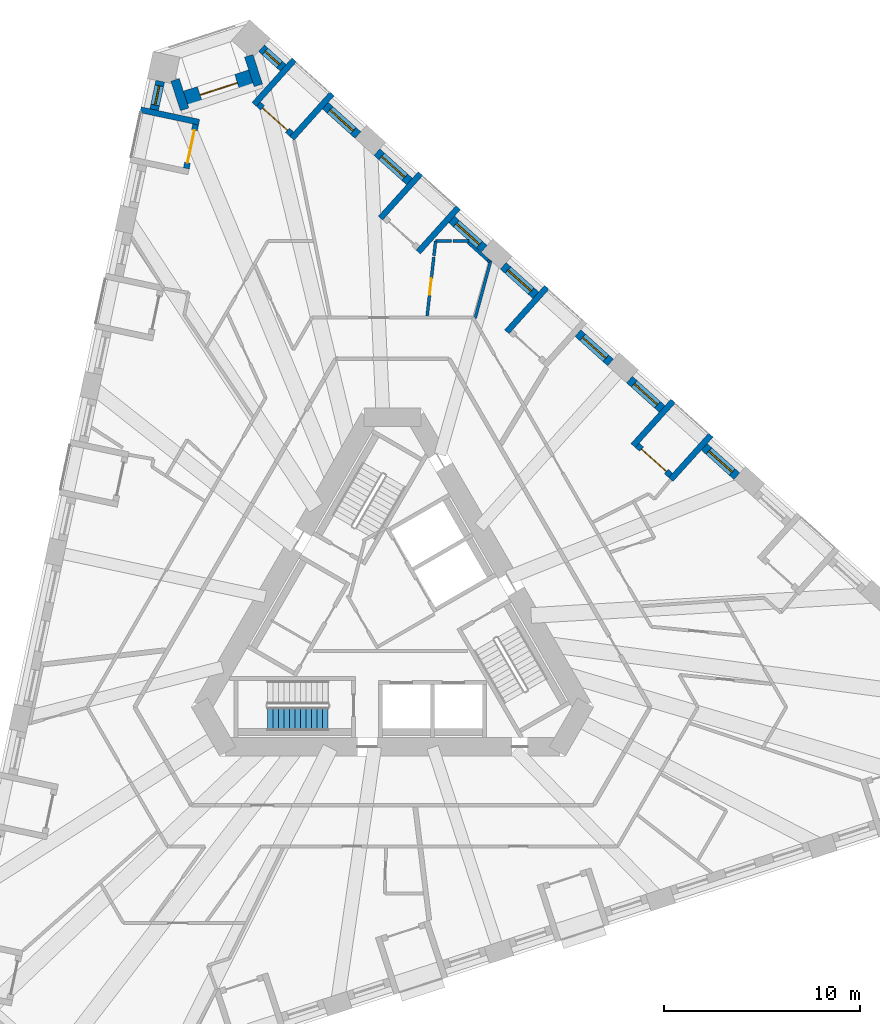
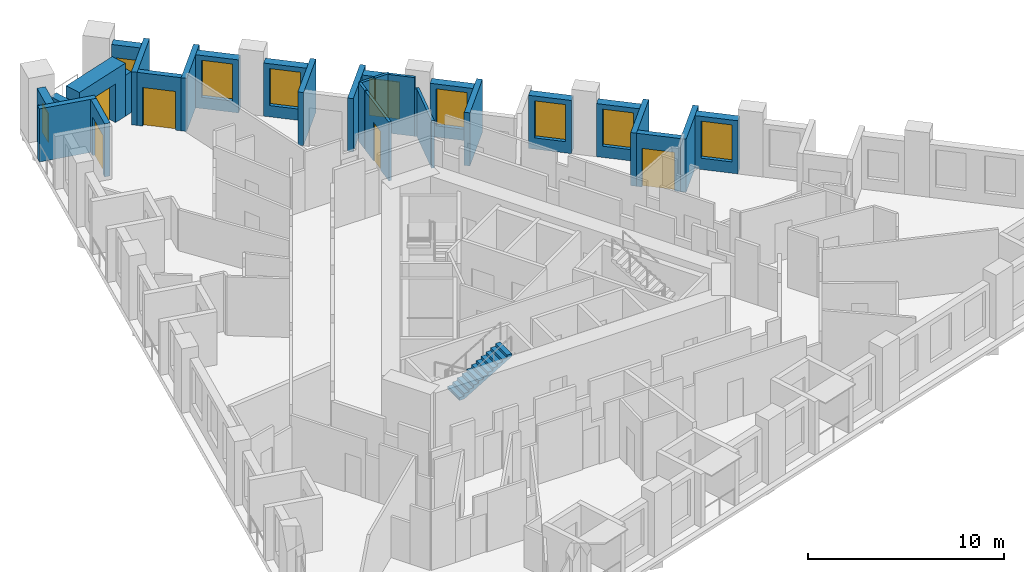
# One storey, part 9 of 13: 30 walls, 9 windows, 5 doors, 1 stair flight, 14 openings, 1 element without a shape of its own.
"""IFC4 building model written with IfcOpenShell, lengths in metres."""

from ifc_helpers import new_model, si_unit, direction, frame, frame_2d, origin, place, context, subcontext, project, spatial, polyline, rectangle, outline, extrude, material, layer, layer_set, type_object, element, fill, aggregate, save


model = new_model("IFC4")

# Units and contexts
model_context = context("Model", 3, precision=1e-05, world=origin(), true_north=direction((0.0, 1.0)))
body_context = subcontext(model_context, "Body", "Model", "MODEL_VIEW")
ifc_project = project(units=[si_unit("LENGTHUNIT", "METRE"), si_unit("AREAUNIT", "SQUARE_METRE"), si_unit("VOLUMEUNIT", "CUBIC_METRE"), si_unit("PLANEANGLEUNIT", "RADIAN"), si_unit("MASSUNIT", "GRAM", prefix="KILO")], contexts=[model_context])

# Site, building, storey
site_placement = place(None, origin())
site = spatial("IfcSite", under=ifc_project, at=site_placement, CompositionType="ELEMENT")
building_placement = place(site_placement, origin())
building = spatial("IfcBuilding", under=site, at=building_placement, Name="Tramontana Tower", CompositionType="ELEMENT")
storey_placement = place(building_placement, frame((0.0, 0.0, 100.39990234375)))
storey = spatial("IfcBuildingStorey", under=building, at=storey_placement, Name="L22", CompositionType="ELEMENT", Elevation=100.39990234375)

# Wall, opening, window
ifc_material_1 = material(Name="Precast concrete 60 MPa", Category="concrete")
ifc_layer_1 = layer(ifc_material_1, 0.449951171875)
ifc_layer_set_1 = layer_set([ifc_layer_1], Name="Precast concrete 60 MPa, 450 mm")
wall_type_1 = type_object("IfcWallType", Name="EW1 Stone-faced precast wall 450", PredefinedType="SOLIDWALL", material=ifc_layer_set_1)
wall_1_placement = place(storey_placement, frame((-11.835693359375, 27.645751953125, 0.0), z_axis=(0.0, 0.0, 1.0), x_axis=(-0.207880358131, -0.978154260178, 0.0)))
wall_1 = element("IfcWall", 1, at=wall_1_placement, inside=storey, type_object=wall_type_1, Name="External wall L22 face 0 bay 1", PredefinedType="SOLIDWALL", context=body_context, shape_type="SweptSolid", body=[
    extrude(rectangle(XDim=1.48681640625, YDim=0.449951171875, at=frame_2d((0.743408203125, 0.0))), origin(), (0.0, 0.0, 1.0), 3.300048828125),
])
opening_1_placement = place(wall_1_placement, frame((0.243408203125, 0.0, 0.699951171875)))
opening_1 = element("IfcOpeningElement", 2, at=opening_1_placement, cuts=wall_1, Name="Opening N1L", PredefinedType="OPENING", context=body_context, shape_type="SweptSolid", body=[
    extrude(rectangle(XDim=1.0, YDim=1.800048828125, at=frame_2d((0.5, 0.89990234375))), frame((0.0, 0.23486328125, 0.0), z_axis=(0.0, -1.0, 0.0), x_axis=(1.0, 0.0, 0.0)), (0.0, 0.0, 1.0), 0.469970703125),
])
ifc_material_2 = material(Name="Aluminum frame, double glazing unit", Category="aluminium")
window_type_1 = type_object("IfcWindowType", Name="N1L Window 1 x 1.8", PartitioningType="SINGLE_PANEL", PredefinedType="WINDOW", material=ifc_material_2)
window_1_placement = place(opening_1_placement, origin())
window_1 = element("IfcWindow", 3, at=window_1_placement, inside=storey, type_object=window_type_1, Name="Window N1L L22 face 0 module 1", OverallHeight=1.800048828125, OverallWidth=1.0, PartitioningType="SINGLE_PANEL", PredefinedType="WINDOW", context=body_context, shape_type="SweptSolid", body=[
    extrude(rectangle(XDim=1.0, YDim=1.800048828125, at=frame_2d((0.5, 0.89990234375))), frame((0.0, 0.030029296875, 0.0), z_axis=(0.0, -1.0, 0.0), x_axis=(1.0, 0.0, 0.0)), (0.0, 0.0, 1.0), 0.06005859375),
])
fill(opening_1, window_1)

wall_2_placement = place(storey_placement, frame((17.54541015625, 7.51513671875, 0.0), z_axis=(0.0, 0.0, 1.0), x_axis=(-0.743142151309, 0.669133576311, 0.0)))
wall_2 = element("IfcWall", 4, at=wall_2_placement, inside=storey, type_object=wall_type_1, Name="External wall L22 face 2 bay 3", PredefinedType="SOLIDWALL", context=body_context, shape_type="SweptSolid", body=[
    extrude(rectangle(XDim=2.236572265625, YDim=0.449951171875, at=frame_2d((1.1181640625, 0.0))), origin(), (0.0, 0.0, 1.0), 3.300048828125),
])
opening_2_placement = place(wall_2_placement, frame((0.318359375, 0.0, 0.699951171875)))
opening_2 = element("IfcOpeningElement", 5, at=opening_2_placement, cuts=wall_2, Name="Opening M1", PredefinedType="OPENING", context=body_context, shape_type="SweptSolid", body=[
    extrude(rectangle(XDim=1.60009765625, YDim=2.300048828125, at=frame_2d((0.800048828125, 1.14990234375))), frame((0.0, 0.23486328125, 0.0), z_axis=(0.0, -1.0, 0.0), x_axis=(1.0, 0.0, 0.0)), (0.0, 0.0, 1.0), 0.469970703125),
])
ifc_material_3 = material(Name="Aluminum frame, double glazing unit", Category="aluminium")
window_type_2 = type_object("IfcWindowType", Name="M1 Window 1.6 x 2.3", PartitioningType="SINGLE_PANEL", PredefinedType="WINDOW", material=ifc_material_3)
window_2_placement = place(opening_2_placement, origin())
window_2 = element("IfcWindow", 6, at=window_2_placement, inside=storey, type_object=window_type_2, Name="Window M1 L22 face 2 module 7", OverallHeight=2.300048828125, OverallWidth=1.60009765625, PartitioningType="SINGLE_PANEL", PredefinedType="WINDOW", context=body_context, shape_type="SweptSolid", body=[
    extrude(rectangle(XDim=1.60009765625, YDim=2.300048828125, at=frame_2d((0.800048828125, 1.14990234375))), frame((0.0, 0.030029296875, 0.0), z_axis=(0.0, -1.0, 0.0), x_axis=(1.0, 0.0, 0.0)), (0.0, 0.0, 1.0), 0.06005859375),
])
fill(opening_2, window_2)

wall_3_placement = place(storey_placement, frame((13.738037109375, 10.943359375, 0.0), z_axis=(0.0, 0.0, 1.0), x_axis=(-0.743191019375, 0.669079299276, 0.0)))
wall_3 = element("IfcWall", 7, at=wall_3_placement, inside=storey, type_object=wall_type_1, Name="External wall L22 face 2 bay 3", PredefinedType="SOLIDWALL", context=body_context, shape_type="SweptSolid", body=[
    extrude(rectangle(XDim=2.23681640625, YDim=0.449951171875, at=frame_2d((1.118408203125, 0.0))), origin(), (0.0, 0.0, 1.0), 3.300048828125),
])
opening_3_placement = place(wall_3_placement, frame((0.318359375, 0.0, 0.699951171875)))
opening_3 = element("IfcOpeningElement", 8, at=opening_3_placement, cuts=wall_3, Name="Opening M1", PredefinedType="OPENING", context=body_context, shape_type="SweptSolid", body=[
    extrude(rectangle(XDim=1.60009765625, YDim=2.300048828125, at=frame_2d((0.800048828125, 1.14990234375))), frame((0.0, 0.23486328125, 0.0), z_axis=(0.0, -1.0, 0.0), x_axis=(1.0, 0.0, 0.0)), (0.0, 0.0, 1.0), 0.469970703125),
])
window_3_placement = place(opening_3_placement, origin())
window_3 = element("IfcWindow", 9, at=window_3_placement, inside=storey, type_object=window_type_2, Name="Window M1 L22 face 2 module 9", OverallHeight=2.300048828125, OverallWidth=1.60009765625, PartitioningType="SINGLE_PANEL", PredefinedType="WINDOW", context=body_context, shape_type="SweptSolid", body=[
    extrude(rectangle(XDim=1.60009765625, YDim=2.300048828125, at=frame_2d((0.800048828125, 1.14990234375))), frame((0.0, 0.030029296875, 0.0), z_axis=(0.0, -1.0, 0.0), x_axis=(1.0, 0.0, 0.0)), (0.0, 0.0, 1.0), 0.06005859375),
])
fill(opening_3, window_3)

wall_4_placement = place(storey_placement, frame((11.109619140625, 13.309814453125, 0.0), z_axis=(0.0, 0.0, 1.0), x_axis=(-0.743087873176, 0.669193852885, 0.0)))
wall_4 = element("IfcWall", 10, at=wall_4_placement, inside=storey, type_object=wall_type_1, Name="External wall L22 face 2 bay 4", PredefinedType="SOLIDWALL", context=body_context, shape_type="SweptSolid", body=[
    extrude(rectangle(XDim=2.23681640625, YDim=0.449951171875, at=frame_2d((1.118408203125, 0.0))), origin(), (0.0, 0.0, 1.0), 3.300048828125),
])
opening_4_placement = place(wall_4_placement, frame((0.318359375, 0.0, 0.699951171875)))
opening_4 = element("IfcOpeningElement", 11, at=opening_4_placement, cuts=wall_4, Name="Opening M1", PredefinedType="OPENING", context=body_context, shape_type="SweptSolid", body=[
    extrude(rectangle(XDim=1.60009765625, YDim=2.300048828125, at=frame_2d((0.800048828125, 1.14990234375))), frame((0.0, 0.23486328125, 0.0), z_axis=(0.0, -1.0, 0.0), x_axis=(1.0, 0.0, 0.0)), (0.0, 0.0, 1.0), 0.469970703125),
])
window_4_placement = place(opening_4_placement, origin())
window_4 = element("IfcWindow", 12, at=window_4_placement, inside=storey, type_object=window_type_2, Name="Window M1 L22 face 2 module 10", OverallHeight=2.300048828125, OverallWidth=1.60009765625, PartitioningType="SINGLE_PANEL", PredefinedType="WINDOW", context=body_context, shape_type="SweptSolid", body=[
    extrude(rectangle(XDim=1.60009765625, YDim=2.300048828125, at=frame_2d((0.800048828125, 1.14990234375))), frame((0.0, 0.030029296875, 0.0), z_axis=(0.0, -1.0, 0.0), x_axis=(1.0, 0.0, 0.0)), (0.0, 0.0, 1.0), 0.06005859375),
])
fill(opening_4, window_4)

wall_5_placement = place(storey_placement, frame((7.30224609375, 16.73828125, 0.0), z_axis=(0.0, 0.0, 1.0), x_axis=(-0.743191019375, 0.669079299276, 0.0)))
wall_5 = element("IfcWall", 13, at=wall_5_placement, inside=storey, type_object=wall_type_1, Name="External wall L22 face 2 bay 4", PredefinedType="SOLIDWALL", context=body_context, shape_type="SweptSolid", body=[
    extrude(rectangle(XDim=2.23681640625, YDim=0.449951171875, at=frame_2d((1.118408203125, 0.0))), origin(), (0.0, 0.0, 1.0), 3.300048828125),
])
opening_5_placement = place(wall_5_placement, frame((0.318359375, 0.0, 0.699951171875)))
opening_5 = element("IfcOpeningElement", 14, at=opening_5_placement, cuts=wall_5, Name="Opening M1", PredefinedType="OPENING", context=body_context, shape_type="SweptSolid", body=[
    extrude(rectangle(XDim=1.60009765625, YDim=2.300048828125, at=frame_2d((0.800048828125, 1.14990234375))), frame((0.0, 0.23486328125, 0.0), z_axis=(0.0, -1.0, 0.0), x_axis=(1.0, 0.0, 0.0)), (0.0, 0.0, 1.0), 0.469970703125),
])
window_5_placement = place(opening_5_placement, origin())
window_5 = element("IfcWindow", 15, at=window_5_placement, inside=storey, type_object=window_type_2, Name="Window M1 L22 face 2 module 12", OverallHeight=2.300048828125, OverallWidth=1.60009765625, PartitioningType="SINGLE_PANEL", PredefinedType="WINDOW", context=body_context, shape_type="SweptSolid", body=[
    extrude(rectangle(XDim=1.60009765625, YDim=2.300048828125, at=frame_2d((0.800048828125, 1.14990234375))), frame((0.0, 0.030029296875, 0.0), z_axis=(0.0, -1.0, 0.0), x_axis=(1.0, 0.0, 0.0)), (0.0, 0.0, 1.0), 0.06005859375),
])
fill(opening_5, window_5)

wall_6_placement = place(storey_placement, frame((4.673828125, 19.104736328125, 0.0), z_axis=(0.0, 0.0, 1.0), x_axis=(-0.743191019375, 0.669079299276, 0.0)))
wall_6 = element("IfcWall", 16, at=wall_6_placement, inside=storey, type_object=wall_type_1, Name="External wall L22 face 2 bay 5", PredefinedType="SOLIDWALL", context=body_context, shape_type="SweptSolid", body=[
    extrude(rectangle(XDim=2.23681640625, YDim=0.449951171875, at=frame_2d((1.118408203125, 0.0))), origin(), (0.0, 0.0, 1.0), 3.300048828125),
])
opening_6_placement = place(wall_6_placement, frame((0.318359375, 0.0, 0.699951171875)))
opening_6 = element("IfcOpeningElement", 17, at=opening_6_placement, cuts=wall_6, Name="Opening M1", PredefinedType="OPENING", context=body_context, shape_type="SweptSolid", body=[
    extrude(rectangle(XDim=1.60009765625, YDim=2.300048828125, at=frame_2d((0.800048828125, 1.14990234375))), frame((0.0, 0.23486328125, 0.0), z_axis=(0.0, -1.0, 0.0), x_axis=(1.0, 0.0, 0.0)), (0.0, 0.0, 1.0), 0.469970703125),
])
window_6_placement = place(opening_6_placement, origin())
window_6 = element("IfcWindow", 18, at=window_6_placement, inside=storey, type_object=window_type_2, Name="Window M1 L22 face 2 module 13", OverallHeight=2.300048828125, OverallWidth=1.60009765625, PartitioningType="SINGLE_PANEL", PredefinedType="WINDOW", context=body_context, shape_type="SweptSolid", body=[
    extrude(rectangle(XDim=1.60009765625, YDim=2.300048828125, at=frame_2d((0.800048828125, 1.14990234375))), frame((0.0, 0.030029296875, 0.0), z_axis=(0.0, -1.0, 0.0), x_axis=(1.0, 0.0, 0.0)), (0.0, 0.0, 1.0), 0.06005859375),
])
fill(opening_6, window_6)

wall_7_placement = place(storey_placement, frame((0.8662109375, 22.532958984375, 0.0), z_axis=(0.0, 0.0, 1.0), x_axis=(-0.743087873176, 0.669193852885, 0.0)))
wall_7 = element("IfcWall", 19, at=wall_7_placement, inside=storey, type_object=wall_type_1, Name="External wall L22 face 2 bay 5", PredefinedType="SOLIDWALL", context=body_context, shape_type="SweptSolid", body=[
    extrude(rectangle(XDim=2.23681640625, YDim=0.449951171875, at=frame_2d((1.118408203125, 0.0))), origin(), (0.0, 0.0, 1.0), 3.300048828125),
])
opening_7_placement = place(wall_7_placement, frame((0.318359375, 0.0, 0.699951171875)))
opening_7 = element("IfcOpeningElement", 20, at=opening_7_placement, cuts=wall_7, Name="Opening M1", PredefinedType="OPENING", context=body_context, shape_type="SweptSolid", body=[
    extrude(rectangle(XDim=1.60009765625, YDim=2.300048828125, at=frame_2d((0.800048828125, 1.14990234375))), frame((0.0, 0.23486328125, 0.0), z_axis=(0.0, -1.0, 0.0), x_axis=(1.0, 0.0, 0.0)), (0.0, 0.0, 1.0), 0.469970703125),
])
window_7_placement = place(opening_7_placement, origin())
window_7 = element("IfcWindow", 21, at=window_7_placement, inside=storey, type_object=window_type_2, Name="Window M1 L22 face 2 module 15", OverallHeight=2.300048828125, OverallWidth=1.60009765625, PartitioningType="SINGLE_PANEL", PredefinedType="WINDOW", context=body_context, shape_type="SweptSolid", body=[
    extrude(rectangle(XDim=1.60009765625, YDim=2.300048828125, at=frame_2d((0.800048828125, 1.14990234375))), frame((0.0, 0.030029296875, 0.0), z_axis=(0.0, -1.0, 0.0), x_axis=(1.0, 0.0, 0.0)), (0.0, 0.0, 1.0), 0.06005859375),
])
fill(opening_7, window_7)

wall_8_placement = place(storey_placement, frame((-1.761962890625, 24.899658203125, 0.0), z_axis=(0.0, 0.0, 1.0), x_axis=(-0.743191019375, 0.669079299276, 0.0)))
wall_8 = element("IfcWall", 22, at=wall_8_placement, inside=storey, type_object=wall_type_1, Name="External wall L22 face 2 bay 6", PredefinedType="SOLIDWALL", context=body_context, shape_type="SweptSolid", body=[
    extrude(rectangle(XDim=2.23681640625, YDim=0.449951171875, at=frame_2d((1.118408203125, 0.0))), origin(), (0.0, 0.0, 1.0), 3.300048828125),
])
opening_8_placement = place(wall_8_placement, frame((0.318359375, 0.0, 0.699951171875)))
opening_8 = element("IfcOpeningElement", 23, at=opening_8_placement, cuts=wall_8, Name="Opening M1", PredefinedType="OPENING", context=body_context, shape_type="SweptSolid", body=[
    extrude(rectangle(XDim=1.60009765625, YDim=2.300048828125, at=frame_2d((0.800048828125, 1.14990234375))), frame((0.0, 0.23486328125, 0.0), z_axis=(0.0, -1.0, 0.0), x_axis=(1.0, 0.0, 0.0)), (0.0, 0.0, 1.0), 0.469970703125),
])
window_8_placement = place(opening_8_placement, origin())
window_8 = element("IfcWindow", 24, at=window_8_placement, inside=storey, type_object=window_type_2, Name="Window M1 L22 face 2 module 16", OverallHeight=2.300048828125, OverallWidth=1.60009765625, PartitioningType="SINGLE_PANEL", PredefinedType="WINDOW", context=body_context, shape_type="SweptSolid", body=[
    extrude(rectangle(XDim=1.60009765625, YDim=2.300048828125, at=frame_2d((0.800048828125, 1.14990234375))), frame((0.0, 0.030029296875, 0.0), z_axis=(0.0, -1.0, 0.0), x_axis=(1.0, 0.0, 0.0)), (0.0, 0.0, 1.0), 0.06005859375),
])
fill(opening_8, window_8)

wall_9_placement = place(storey_placement, frame((-5.569580078125, 28.327880859375, 0.0), z_axis=(0.0, 0.0, 1.0), x_axis=(-0.743089972274, 0.669191521992, 0.0)))
wall_9 = element("IfcWall", 25, at=wall_9_placement, inside=storey, type_object=wall_type_1, Name="External wall L22 face 2 bay 6", PredefinedType="SOLIDWALL", context=body_context, shape_type="SweptSolid", body=[
    extrude(rectangle(XDim=1.486572265625, YDim=0.449951171875, at=frame_2d((0.7431640625, 0.0))), origin(), (0.0, 0.0, 1.0), 3.300048828125),
])
opening_9_placement = place(wall_9_placement, frame((0.243408203125, 0.0, 0.699951171875)))
opening_9 = element("IfcOpeningElement", 26, at=opening_9_placement, cuts=wall_9, Name="Opening N1L", PredefinedType="OPENING", context=body_context, shape_type="SweptSolid", body=[
    extrude(rectangle(XDim=1.0, YDim=1.800048828125, at=frame_2d((0.5, 0.89990234375))), frame((0.0, 0.23486328125, 0.0), z_axis=(0.0, -1.0, 0.0), x_axis=(1.0, 0.0, 0.0)), (0.0, 0.0, 1.0), 0.469970703125),
])
window_9_placement = place(opening_9_placement, origin())
window_9 = element("IfcWindow", 27, at=window_9_placement, inside=storey, type_object=window_type_1, Name="Window N1L L22 face 2 module 18", OverallHeight=1.800048828125, OverallWidth=1.0, PartitioningType="SINGLE_PANEL", PredefinedType="WINDOW", context=body_context, shape_type="SweptSolid", body=[
    extrude(rectangle(XDim=1.0, YDim=1.800048828125, at=frame_2d((0.5, 0.89990234375))), frame((0.0, 0.030029296875, 0.0), z_axis=(0.0, -1.0, 0.0), x_axis=(1.0, 0.0, 0.0)), (0.0, 0.0, 1.0), 0.06005859375),
])
fill(opening_9, window_9)

# Walls
for number, where, z_axis, x_axis, name in (
    (28, (-11.08056640625, 27.71142578125, 0.0), (0.0, 0.0, 1.0), (0.309030142399, -0.951052244143, 0.0), "Corner loggia side wall L22 K20l"),
    (29, (-7.323974609375, 28.93212890625, 0.0), (0.0, 0.0, 1.0), (0.309030142399, -0.951052244143, 0.0), "Corner loggia side wall L22 K20r"),
):
    element("IfcWall", number, at=place(storey_placement, frame(where, z_axis=z_axis, x_axis=x_axis)), inside=storey, type_object=wall_type_1, Name=name, PredefinedType="SOLIDWALL", context=body_context, shape_type="SweptSolid", body=[
        extrude(rectangle(XDim=1.579345703125, YDim=0.449951171875, at=frame_2d((0.78955078125, 0.0))), origin(), (0.0, 0.0, 1.0), 2.550048828125),
    ])

# Wall, opening, door
ifc_material_4 = material(Name="Precast concrete 60 MPa", Category="concrete")
ifc_layer_2 = layer(ifc_material_4, 0.89990234375)
ifc_layer_set_2 = layer_set([ifc_layer_2], Name="EW2 Stone-faced corner loggia wall 900")
wall_type_2 = type_object("IfcWallType", Name="EW2 Stone-faced corner loggia wall 900", PredefinedType="SOLIDWALL", material=ifc_layer_set_2)
wall_10_placement = place(storey_placement, frame((-10.517578125, 26.70703125, 0.0), z_axis=(0.0, 0.0, 1.0), x_axis=(0.951055596592, 0.309019824916, 0.0)))
wall_10 = element("IfcWall", 30, at=wall_10_placement, inside=storey, type_object=wall_type_2, Name="Corner loggia wall L22 K20", PredefinedType="SOLIDWALL", context=body_context, shape_type="SweptSolid", body=[
    extrude(rectangle(XDim=3.5, YDim=0.89990234375, at=frame_2d((1.75, 0.0))), origin(), (0.0, 0.0, 1.0), 3.300048828125),
])
opening_10_placement = place(wall_10_placement, frame((0.75, 0.0, 0.0)))
opening_10 = element("IfcOpeningElement", 31, at=opening_10_placement, cuts=wall_10, Name="Opening BD-20C", PredefinedType="OPENING", context=body_context, shape_type="SweptSolid", body=[
    extrude(rectangle(XDim=2.0, YDim=2.39990234375, at=frame_2d((1.0, 1.199951171875))), frame((0.0, 0.4599609375, 0.0), z_axis=(0.0, -1.0, 0.0), x_axis=(1.0, 0.0, 0.0)), (0.0, 0.0, 1.0), 0.919921875),
])
ifc_material_5 = material(Name="Aluminum frame, double glazing unit", Category="aluminium")
door_type_1 = type_object("IfcDoorType", Name="BC1 Sliding door 2 x 2.4", OperationType="SLIDING_TO_LEFT", PredefinedType="DOOR", material=ifc_material_5)
door_1_placement = place(opening_10_placement, origin())
door_1 = element("IfcDoor", 32, at=door_1_placement, inside=storey, type_object=door_type_1, Name="Corner loggia door L22 K20", OperationType="SLIDING_TO_LEFT", OverallHeight=2.39990234375, OverallWidth=2.0, PredefinedType="DOOR", context=body_context, shape_type="SweptSolid", body=[
    extrude(rectangle(XDim=2.0, YDim=2.39990234375, at=frame_2d((1.0, 1.199951171875))), frame((0.0, 0.02490234375, 0.0), z_axis=(0.0, -1.0, 0.0), x_axis=(1.0, 0.0, 0.0)), (0.0, 0.0, 1.0), 0.050048828125),
])
fill(opening_10, door_1)

ifc_material_6 = material(Name="Precast concrete 60 MPa", Category="concrete")
ifc_layer_3 = layer(ifc_material_6, 0.300048828125)
ifc_layer_set_3 = layer_set([ifc_layer_3], Name="LW1 Stone-faced loggia wall 300")
wall_type_3 = type_object("IfcWallType", Name="LW1 Stone-faced loggia wall 300", PredefinedType="SOLIDWALL", material=ifc_layer_set_3)
wall_11_placement = place(storey_placement, frame((-10.031005859375, 25.435302734375, 0.0), z_axis=(0.0, 0.0, 1.0), x_axis=(-0.207866417042, -0.978157222877, 0.0)))
wall_11 = element("IfcWall", 33, at=wall_11_placement, inside=storey, type_object=wall_type_3, Name="Loggia wall L22 G2S0.1", PredefinedType="SOLIDWALL", context=body_context, shape_type="SweptSolid", body=[
    extrude(rectangle(XDim=2.286865234375, YDim=0.300048828125, at=frame_2d((1.1435546875, 0.0))), origin(), (0.0, 0.0, 1.0), 3.300048828125),
])
opening_11_placement = place(wall_11_placement, frame((0.29345703125, 0.0, 0.0)))
opening_11 = element("IfcOpeningElement", 34, at=opening_11_placement, cuts=wall_11, Name="Opening BD-2S0-01", PredefinedType="OPENING", context=body_context, shape_type="SweptSolid", body=[
    extrude(rectangle(XDim=1.699951171875, YDim=2.39990234375, at=frame_2d((0.85009765625, 1.199951171875))), frame((0.0, 0.159912109375, 0.0), z_axis=(0.0, -1.0, 0.0), x_axis=(1.0, 0.0, 0.0)), (0.0, 0.0, 1.0), 0.320068359375),
])
ifc_material_7 = material(Name="Aluminum frame, double glazing unit", Category="aluminium")
door_type_2 = type_object("IfcDoorType", Name="BD1 Sliding door 1.7 x 2.4", OperationType="SLIDING_TO_LEFT", PredefinedType="DOOR", material=ifc_material_7)
door_2_placement = place(opening_11_placement, origin())
door_2 = element("IfcDoor", 35, at=door_2_placement, inside=storey, type_object=door_type_2, Name="Loggia door L22 G2S0.1", OperationType="SLIDING_TO_LEFT", OverallHeight=2.39990234375, OverallWidth=1.699951171875, PredefinedType="DOOR", context=body_context, shape_type="SweptSolid", body=[
    extrude(rectangle(XDim=1.699951171875, YDim=2.39990234375, at=frame_2d((0.85009765625, 1.199951171875))), frame((0.0, 0.02490234375, 0.0), z_axis=(0.0, -1.0, 0.0), x_axis=(1.0, 0.0, 0.0)), (0.0, 0.0, 1.0), 0.050048828125),
])
fill(opening_11, door_2)

# Wall
wall_12_placement = place(storey_placement, frame((-12.83642578125, 26.18505859375, 0.0), z_axis=(0.0, 0.0, 1.0), x_axis=(0.978154782045, -0.207877902534, 0.0)))
element("IfcWall", 36, at=wall_12_placement, inside=storey, type_object=wall_type_3, Name="Loggia return L22 G2S0.1a", PredefinedType="SOLIDWALL", context=body_context, shape_type="SweptSolid", body=[
    extrude(rectangle(XDim=3.050048828125, YDim=0.300048828125, at=frame_2d((1.52490234375, 0.0))), origin(), (0.0, 0.0, 1.0), 3.300048828125),
])

# Wall, opening, door
wall_13_placement = place(storey_placement, frame((14.17138671875, 7.55908203125, 0.0), z_axis=(0.0, 0.0, 1.0), x_axis=(-0.743134851659, 0.66914168324, 0.0)))
wall_13 = element("IfcWall", 37, at=wall_13_placement, inside=storey, type_object=wall_type_3, Name="Loggia wall L22 G2S2.7", PredefinedType="SOLIDWALL", context=body_context, shape_type="SweptSolid", body=[
    extrude(rectangle(XDim=2.28662109375, YDim=0.300048828125, at=frame_2d((1.143310546875, 0.0))), origin(), (0.0, 0.0, 1.0), 3.300048828125),
])
opening_12_placement = place(wall_13_placement, frame((0.29345703125, 0.0, 0.0)))
opening_12 = element("IfcOpeningElement", 38, at=opening_12_placement, cuts=wall_13, Name="Opening BD-2S2-07", PredefinedType="OPENING", context=body_context, shape_type="SweptSolid", body=[
    extrude(rectangle(XDim=1.699951171875, YDim=2.39990234375, at=frame_2d((0.85009765625, 1.199951171875))), frame((0.0, 0.159912109375, 0.0), z_axis=(0.0, -1.0, 0.0), x_axis=(1.0, 0.0, 0.0)), (0.0, 0.0, 1.0), 0.320068359375),
])
door_3_placement = place(opening_12_placement, origin())
door_3 = element("IfcDoor", 39, at=door_3_placement, inside=storey, type_object=door_type_2, Name="Loggia door L22 G2S2.7", OperationType="SLIDING_TO_LEFT", OverallHeight=2.39990234375, OverallWidth=1.699951171875, PredefinedType="DOOR", context=body_context, shape_type="SweptSolid", body=[
    extrude(rectangle(XDim=1.699951171875, YDim=2.39990234375, at=frame_2d((0.85009765625, 1.199951171875))), frame((0.0, 0.02490234375, 0.0), z_axis=(0.0, -1.0, 0.0), x_axis=(1.0, 0.0, 0.0)), (0.0, 0.0, 1.0), 0.050048828125),
])
fill(opening_12, door_3)

# Walls
for number, where, z_axis, x_axis, name in (
    (40, (16.223388671875, 9.61376953125, 0.0), (0.0, 0.0, 1.0), (-0.669115082961, -0.743158802514, 0.0), "Loggia return L22 G2S2.7a"),
    (41, (14.301025390625, 11.3447265625, 0.0), (0.0, 0.0, 1.0), (-0.669115082961, -0.743158802514, 0.0), "Loggia return L22 G2S2.7b"),
    (42, (7.865234375, 17.139404296875, 0.0), (0.0, 0.0, 1.0), (-0.669115082961, -0.743158802514, 0.0), "Loggia return L22 G2S2.10b"),
    (43, (3.351806640625, 21.203369140625, 0.0), (0.0, 0.0, 1.0), (-0.669115082961, -0.743158802514, 0.0), "Loggia return L22 G2S2.13a"),
    (44, (1.429443359375, 22.934326171875, 0.0), (0.0, 0.0, 1.0), (-0.669115082961, -0.743158802514, 0.0), "Loggia return L22 G2S2.13b"),
):
    element("IfcWall", number, at=place(storey_placement, frame(where, z_axis=z_axis, x_axis=x_axis)), inside=storey, type_object=wall_type_3, Name=name, PredefinedType="SOLIDWALL", context=body_context, shape_type="SweptSolid", body=[
        extrude(rectangle(XDim=3.050048828125, YDim=0.300048828125, at=frame_2d((1.52490234375, 0.0))), origin(), (0.0, 0.0, 1.0), 3.300048828125),
    ])

# Wall, opening, door
wall_14_placement = place(storey_placement, frame((-5.135986328125, 24.943603515625, 0.0), z_axis=(0.0, 0.0, 1.0), x_axis=(-0.743182653308, 0.669088591909, 0.0)))
wall_14 = element("IfcWall", 45, at=wall_14_placement, inside=storey, type_object=wall_type_3, Name="Loggia wall L22 G2S2.16", PredefinedType="SOLIDWALL", context=body_context, shape_type="SweptSolid", body=[
    extrude(rectangle(XDim=2.28662109375, YDim=0.300048828125, at=frame_2d((1.143310546875, 0.0))), origin(), (0.0, 0.0, 1.0), 3.300048828125),
])
opening_13_placement = place(wall_14_placement, frame((0.29345703125, 0.0, 0.0)))
opening_13 = element("IfcOpeningElement", 46, at=opening_13_placement, cuts=wall_14, Name="Opening BD-2S2-16", PredefinedType="OPENING", context=body_context, shape_type="SweptSolid", body=[
    extrude(rectangle(XDim=1.699951171875, YDim=2.39990234375, at=frame_2d((0.85009765625, 1.199951171875))), frame((0.0, 0.159912109375, 0.0), z_axis=(0.0, -1.0, 0.0), x_axis=(1.0, 0.0, 0.0)), (0.0, 0.0, 1.0), 0.320068359375),
])
door_4_placement = place(opening_13_placement, origin())
door_4 = element("IfcDoor", 47, at=door_4_placement, inside=storey, type_object=door_type_2, Name="Loggia door L22 G2S2.16", OperationType="SLIDING_TO_LEFT", OverallHeight=2.39990234375, OverallWidth=1.699951171875, PredefinedType="DOOR", context=body_context, shape_type="SweptSolid", body=[
    extrude(rectangle(XDim=1.699951171875, YDim=2.39990234375, at=frame_2d((0.85009765625, 1.199951171875))), frame((0.0, 0.02490234375, 0.0), z_axis=(0.0, -1.0, 0.0), x_axis=(1.0, 0.0, 0.0)), (0.0, 0.0, 1.0), 0.050048828125),
])
fill(opening_13, door_4)

# Walls
for number, where, z_axis, x_axis, name in (
    (48, (-3.083984375, 26.998291015625, 0.0), (0.0, 0.0, 1.0), (-0.669159288314, -0.743118999127, 0.0), "Loggia return L22 G2S2.16a"),
    (49, (-5.00634765625, 28.729248046875, 0.0), (0.0, 0.0, 1.0), (-0.669115082961, -0.743158802514, 0.0), "Loggia return L22 G2S2.16b"),
):
    element("IfcWall", number, at=place(storey_placement, frame(where, z_axis=z_axis, x_axis=x_axis)), inside=storey, type_object=wall_type_3, Name=name, PredefinedType="SOLIDWALL", context=body_context, shape_type="SweptSolid", body=[
        extrude(rectangle(XDim=3.050048828125, YDim=0.300048828125, at=frame_2d((1.52490234375, 0.0))), origin(), (0.0, 0.0, 1.0), 3.300048828125),
    ])

# Wall, opening, door
ifc_material_8 = material(Name="Gypsum board partition")
ifc_layer_4 = layer(ifc_material_8, 0.14990234375)
ifc_layer_set_4 = layer_set([ifc_layer_4], Name="PARTITION 150")
wall_type_4 = type_object("IfcWallType", Name="PARTITION 150", PredefinedType="PARTITIONING", material=ifc_layer_set_4)
wall_15_placement = place(storey_placement, frame((2.10400390625, 18.680419921875, 0.0), z_axis=(0.0, 0.0, 1.0), x_axis=(-0.11196416601, -0.993712244832, 0.0)))
wall_15 = element("IfcWall", 50, at=wall_15_placement, inside=storey, type_object=wall_type_4, Name="Wall v21-pw35", PredefinedType="PARTITIONING", context=body_context, shape_type="SweptSolid", body=[
    extrude(rectangle(XDim=3.0244140625, YDim=0.14990234375, at=frame_2d((1.51220703125, 0.0))), origin(), (0.0, 0.0, 1.0), 3.650146484375),
])
opening_14_placement = place(wall_15_placement, frame((1.087158203125, 0.0, 0.0)))
opening_14 = element("IfcOpeningElement", 51, at=opening_14_placement, cuts=wall_15, Name="Opening B2B-08", PredefinedType="OPENING", context=body_context, shape_type="SweptSolid", body=[
    extrude(rectangle(XDim=0.85009765625, YDim=2.39990234375, at=frame_2d((0.425048828125, 1.199951171875))), frame((0.0, 0.0849609375, 0.0), z_axis=(0.0, -1.0, 0.0), x_axis=(1.0, 0.0, 0.0)), (0.0, 0.0, 1.0), 0.169921875),
])
ifc_material_9 = material(Name="Painted timber", Category="wood")
door_type_3 = type_object("IfcDoorType", Name="DOOR BATH 850", OperationType="SINGLE_SWING_LEFT", PredefinedType="DOOR", material=ifc_material_9)
door_5_placement = place(opening_14_placement, origin())
door_5 = element("IfcDoor", 52, at=door_5_placement, inside=storey, type_object=door_type_3, Name="Door B2B-08", OperationType="SINGLE_SWING_RIGHT", OverallHeight=2.39990234375, OverallWidth=0.85009765625, PredefinedType="DOOR", context=body_context, shape_type="SweptSolid", body=[
    extrude(rectangle(XDim=0.85009765625, YDim=2.39990234375, at=frame_2d((0.425048828125, 1.199951171875))), frame((0.0, 0.02490234375, 0.0), z_axis=(0.0, -1.0, 0.0), x_axis=(1.0, 0.0, 0.0)), (0.0, 0.0, 1.0), 0.050048828125),
])
fill(opening_14, door_5)

# Walls
wall_16_placement = place(storey_placement, frame((2.11181640625, 18.75, 0.0), z_axis=(0.0, 0.0, 1.0), x_axis=(0.111922545241, 0.993716933471, 0.0)))
element("IfcWall", 53, at=wall_16_placement, inside=storey, type_object=wall_type_4, Name="Wall v21-pw36", PredefinedType="PARTITIONING", context=body_context, shape_type="SweptSolid", body=[
    extrude(rectangle(XDim=0.754638671875, YDim=0.14990234375, at=frame_2d((0.37744140625, 0.0))), origin(), (0.0, 0.0, 1.0), 3.650146484375),
])
wall_17_placement = place(storey_placement, frame((2.1962890625, 19.5, 0.0), z_axis=(0.0, 0.0, 1.0), x_axis=(1.0, 0.0, 0.0)))
element("IfcWall", 54, at=wall_17_placement, inside=storey, type_object=wall_type_4, Name="Wall v21-pw37", PredefinedType="PARTITIONING", context=body_context, shape_type="SweptSolid", body=[
    extrude(rectangle(XDim=0.803466796875, YDim=0.14990234375, at=frame_2d((0.40185546875, 0.0))), origin(), (0.0, 0.0, 1.0), 3.650146484375),
])
wall_18_placement = place(storey_placement, frame((3.06982421875, 19.5, 0.0), z_axis=(0.0, 0.0, 1.0), x_axis=(1.0, 0.0, 0.0)))
element("IfcWall", 55, at=wall_18_placement, inside=storey, type_object=wall_type_4, Name="Wall v21-pw38", PredefinedType="PARTITIONING", context=body_context, shape_type="SweptSolid", body=[
    extrude(rectangle(XDim=0.828857421875, YDim=0.14990234375, at=frame_2d((0.41455078125, 0.0))), origin(), (0.0, 0.0, 1.0), 3.650146484375),
])
wall_19_placement = place(storey_placement, frame((3.841796875, 19.436767578125, 0.0), z_axis=(0.0, 0.0, 1.0), x_axis=(0.743162000139, -0.669111531472, 0.0)))
element("IfcWall", 56, at=wall_19_placement, inside=storey, type_object=wall_type_4, Name="Wall v21-pw39-0", PredefinedType="PARTITIONING", context=body_context, shape_type="SweptSolid", body=[
    extrude(rectangle(XDim=1.378173828125, YDim=0.14990234375, at=frame_2d((0.68896484375, 0.0))), origin(), (0.0, 0.0, 1.0), 3.650146484375),
])
wall_20_placement = place(storey_placement, frame((4.865966796875, 18.5146484375, 0.0), z_axis=(0.0, 0.0, 1.0), x_axis=(0.743078033606, -0.669204778803, 0.0)))
element("IfcWall", 57, at=wall_20_placement, inside=storey, type_object=wall_type_4, Name="Wall v21-pw39-1", PredefinedType="PARTITIONING", context=body_context, shape_type="SweptSolid", body=[
    extrude(rectangle(XDim=0.1123046875, YDim=0.14990234375, at=frame_2d((0.05615234375, 0.0))), origin(), (0.0, 0.0, 1.0), 2.9501953125),
])
wall_21_placement = place(storey_placement, frame((5.00634765625, 18.502685546875, 0.0), z_axis=(0.0, 0.0, 1.0), x_axis=(-0.261193292311, -0.965286519149, 0.0)))
element("IfcWall", 58, at=wall_21_placement, inside=storey, type_object=wall_type_4, Name="Wall v21-pw41-0", PredefinedType="PARTITIONING", context=body_context, shape_type="SweptSolid", body=[
    extrude(rectangle(XDim=3.050048828125, YDim=0.14990234375, at=frame_2d((1.52490234375, 0.0))), origin(), (0.0, 0.0, 1.0), 2.9501953125),
])

# Stair, stair flight
ifc_material_10 = material(Name="Concrete 40 MPa", Category="concrete")
stair_type = type_object("IfcStairType", Name="EXIT STAIR 24 RISERS", PredefinedType="HALF_TURN_STAIR", material=ifc_material_10)
stair_placement = place(storey_placement, origin())
stair = element("IfcStair", 59, at=stair_placement, inside=storey, type_object=stair_type, Name="L22 Exit stair ST2", PredefinedType="HALF_TURN_STAIR")
ifc_material_11 = material(Name="Concrete 40 MPa", Category="concrete")
ifc_layer_5 = layer(ifc_material_11, 0.14990234375)
ifc_layer_set_5 = layer_set([ifc_layer_5], Name="EXIT STAIR FLIGHT")
stair_flight_type = type_object("IfcStairFlightType", Name="EXIT STAIR FLIGHT", PredefinedType="STRAIGHT", material=ifc_layer_set_5)
stair_flight_placement = place(storey_placement, frame((-6.360107421875, -4.85009765625, 2.0), z_axis=(0.0, 0.0, 1.0), x_axis=(1.0, 0.0, 0.0)))
stair_flight = element("IfcStairFlight", 60, at=stair_flight_placement, type_object=stair_flight_type, Name="ST2 flight 2", NumberOfRisers=12, NumberOfTreads=11, PredefinedType="STRAIGHT", RiserHeight=0.166666667, TreadLength=0.28, context=body_context, shape_type="SweptSolid", body=[
    extrude(outline(polyline([(-0.006103515625, 0.0), (-0.006103515625, 0.0400390625), (0.0, 0.0400390625), (0.0, 0.166748046875), (0.280029296875, 0.166748046875), (0.280029296875, 0.333251953125), (0.56005859375, 0.333251953125), (0.56005859375, 0.5), (0.840087890625, 0.5), (0.840087890625, 0.666748046875), (1.1201171875, 0.666748046875), (1.1201171875, 0.833251953125), (1.39990234375, 0.833251953125), (1.39990234375, 1.0), (1.679931640625, 1.0), (1.679931640625, 1.166748046875), (1.9599609375, 1.166748046875), (1.9599609375, 1.333251953125), (2.239990234375, 1.333251953125), (2.239990234375, 1.5), (2.52001953125, 1.5), (2.52001953125, 1.666748046875), (2.800048828125, 1.666748046875), (2.800048828125, 1.833251953125), (3.080078125, 1.833251953125), (3.0859375, 1.833251953125), (3.0859375, 1.658935546875), (0.299072265625, 0.0), (-0.006103515625, 0.0)])), frame((0.0, 0.60009765625, 0.0), z_axis=(0.0, -1.0, 0.0), x_axis=(1.0, 0.0, 0.0)), (0.0, 0.0, 1.0), 1.199951171875),
])
aggregate(stair, [stair_flight])

save(model, "model.ifc")
